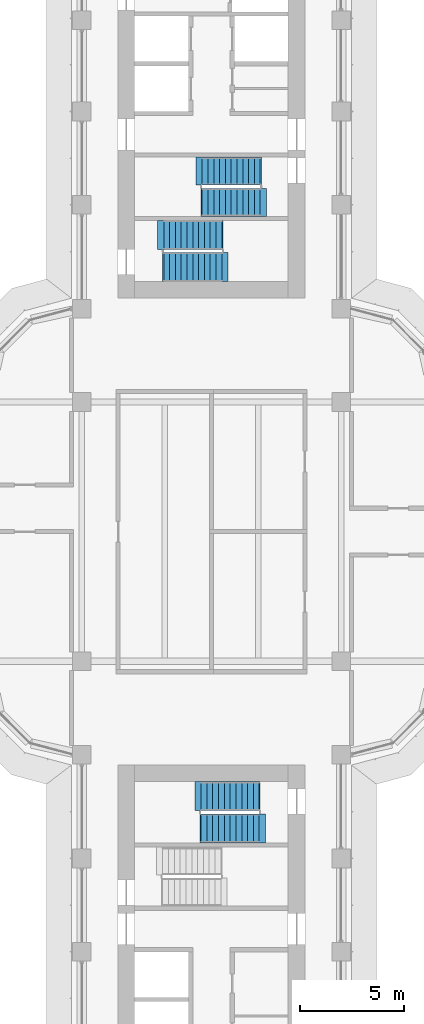
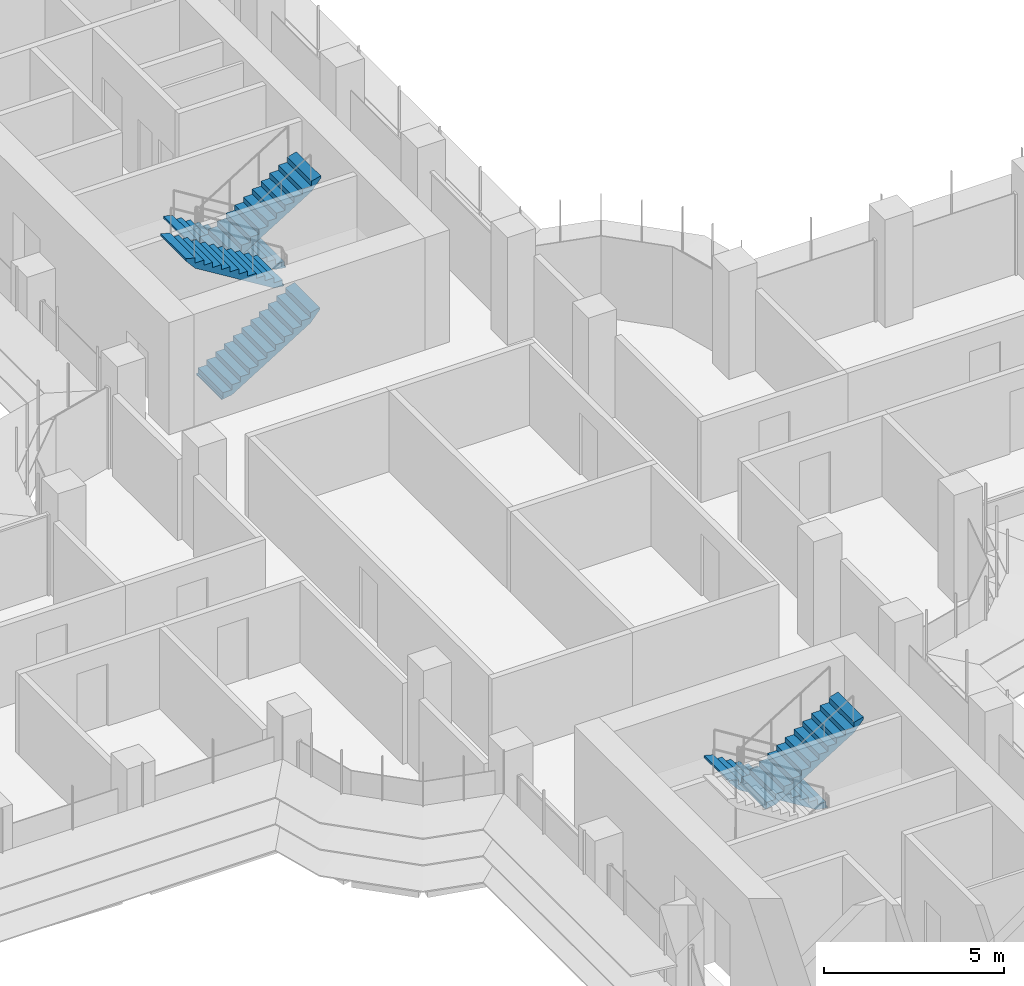
# One storey, part 18 of 22: 6 stair flights, 3 elements without a shape of their own.
"""IFC4 building model written with IfcOpenShell, lengths in metres."""

from ifc_helpers import new_model, si_unit, direction, frame, origin, place, context, subcontext, project, spatial, polyline, outline, extrude, material, type_object, element, aggregate, save


model = new_model("IFC4")

# Units and contexts
model_context = context("Model", 3, precision=1e-05, world=origin(), true_north=direction((0.0, 1.0)))
body_context = subcontext(model_context, "Body", "Model", "MODEL_VIEW")
ifc_project = project(units=[si_unit("LENGTHUNIT", "METRE"), si_unit("AREAUNIT", "SQUARE_METRE"), si_unit("VOLUMEUNIT", "CUBIC_METRE"), si_unit("PLANEANGLEUNIT", "RADIAN"), si_unit("MASSUNIT", "GRAM", prefix="KILO")], contexts=[model_context])

# Site, building, storey
site_placement = place(None, origin())
site = spatial("IfcSite", under=ifc_project, at=site_placement, CompositionType="ELEMENT")
building_placement = place(site_placement, origin())
building = spatial("IfcBuilding", under=site, at=building_placement, Name="Zarbagh Exchange Tower", CompositionType="ELEMENT")
storey_placement = place(building_placement, frame((0.0, 0.0, 105.60009765625)))
storey = spatial("IfcBuildingStorey", under=building, at=storey_placement, Name="L24", CompositionType="ELEMENT", Elevation=105.60009765625)

# Stair, stair flights
ifc_material = material(Name="Concrete C40/50", Category="concrete")
stair_type = type_object("IfcStairType", Name="Exit stair two-flight half-turn", PredefinedType="HALF_TURN_STAIR", material=ifc_material)
stair_1_placement = place(storey_placement, origin())
stair_1 = element("IfcStair", 1, at=stair_1_placement, inside=storey, type_object=stair_type, Name="exit stair ST1", PredefinedType="HALF_TURN_STAIR")
stair_flight_type_1 = type_object("IfcStairFlightType", Name="Stair flight 1350 mm", PredefinedType="STRAIGHT", material=ifc_material)
stair_flight_1_placement = place(storey_placement, frame((2.35009765625, 17.375, 0.0), z_axis=(0.0, 0.0, 1.0), x_axis=(-1.0, 0.0, 0.0)))
stair_flight_1 = element("IfcStairFlight", 2, at=stair_flight_1_placement, type_object=stair_flight_type_1, Name="ST1 flight 1", NumberOfRisers=11, NumberOfTreads=10, PredefinedType="STRAIGHT", RiserHeight=0.172727273, TreadLength=0.28, context=body_context, shape_type="SweptSolid", body=[
    extrude(outline(polyline([(-0.050048828125, -0.050048828125), (-0.050048828125, 0.0), (0.0, 0.0), (0.0, 0.172607421875), (0.280029296875, 0.172607421875), (0.280029296875, 0.345458984375), (0.56005859375, 0.345458984375), (0.56005859375, 0.51806640625), (0.840087890625, 0.51806640625), (0.840087890625, 0.69091796875), (1.1201171875, 0.69091796875), (1.1201171875, 0.863525390625), (1.39990234375, 0.863525390625), (1.39990234375, 1.036376953125), (1.679931640625, 1.036376953125), (1.679931640625, 1.208984375), (1.9599609375, 1.208984375), (1.9599609375, 1.3818359375), (2.239990234375, 1.3818359375), (2.239990234375, 1.554443359375), (2.52001953125, 1.554443359375), (2.52001953125, 1.727294921875), (2.800048828125, 1.727294921875), (2.800048828125, 1.89990234375), (3.10009765625, 1.97998046875), (3.10009765625, 1.89990234375), (2.800048828125, 1.551025390625), (0.285400390625, 0.0), (-0.050048828125, -0.050048828125)])), frame((0.0, 0.675048828125, 0.0), z_axis=(0.0, -1.0, 0.0), x_axis=(1.0, 0.0, 0.0)), (0.0, 0.0, 1.0), 1.35009765625),
])
stair_flight_2_placement = place(storey_placement, frame((-0.449951171875, 15.875, 1.89990234375), z_axis=(0.0, 0.0, 1.0), x_axis=(1.0, 0.0, 0.0)))
stair_flight_2 = element("IfcStairFlight", 3, at=stair_flight_2_placement, type_object=stair_flight_type_1, Name="ST1 flight 2", NumberOfRisers=11, NumberOfTreads=10, PredefinedType="STRAIGHT", RiserHeight=0.172727273, TreadLength=0.28, context=body_context, shape_type="SweptSolid", body=[
    extrude(outline(polyline([(-0.050048828125, -0.050048828125), (-0.050048828125, 0.0), (0.0, 0.0), (0.0, 0.172607421875), (0.280029296875, 0.172607421875), (0.280029296875, 0.345458984375), (0.56005859375, 0.345458984375), (0.56005859375, 0.51806640625), (0.840087890625, 0.51806640625), (0.840087890625, 0.69091796875), (1.1201171875, 0.69091796875), (1.1201171875, 0.863525390625), (1.39990234375, 0.863525390625), (1.39990234375, 1.036376953125), (1.679931640625, 1.036376953125), (1.679931640625, 1.208984375), (1.9599609375, 1.208984375), (1.9599609375, 1.3818359375), (2.239990234375, 1.3818359375), (2.239990234375, 1.554443359375), (2.52001953125, 1.554443359375), (2.52001953125, 1.727294921875), (2.800048828125, 1.727294921875), (2.800048828125, 1.89990234375), (3.10009765625, 1.97998046875), (3.10009765625, 1.89990234375), (2.800048828125, 1.551025390625), (0.285400390625, 0.0), (-0.050048828125, -0.050048828125)])), frame((0.0, 0.675048828125, 0.0), z_axis=(0.0, -1.0, 0.0), x_axis=(1.0, 0.0, 0.0)), (0.0, 0.0, 1.0), 1.35009765625),
])
aggregate(stair_1, [stair_flight_1, stair_flight_2])

stair_2_placement = place(storey_placement, origin())
stair_2 = element("IfcStair", 4, at=stair_2_placement, inside=storey, type_object=stair_type, Name="exit stair ST2", PredefinedType="HALF_TURN_STAIR")
stair_flight_type_2 = type_object("IfcStairFlightType", Name="Stair flight 1400 mm", PredefinedType="STRAIGHT", material=ifc_material)
stair_flight_3_placement = place(storey_placement, frame((-2.300048828125, 12.75, 0.0), z_axis=(0.0, 0.0, 1.0), x_axis=(1.0, 0.0, 0.0)))
stair_flight_3 = element("IfcStairFlight", 5, at=stair_flight_3_placement, type_object=stair_flight_type_2, Name="ST2 flight 1", NumberOfRisers=11, NumberOfTreads=10, PredefinedType="STRAIGHT", RiserHeight=0.172727273, TreadLength=0.28, context=body_context, shape_type="SweptSolid", body=[
    extrude(outline(polyline([(-0.050048828125, -0.050048828125), (-0.050048828125, 0.0), (0.0, 0.0), (0.0, 0.172607421875), (0.280029296875, 0.172607421875), (0.280029296875, 0.345458984375), (0.56005859375, 0.345458984375), (0.56005859375, 0.51806640625), (0.840087890625, 0.51806640625), (0.840087890625, 0.69091796875), (1.1201171875, 0.69091796875), (1.1201171875, 0.863525390625), (1.39990234375, 0.863525390625), (1.39990234375, 1.036376953125), (1.679931640625, 1.036376953125), (1.679931640625, 1.208984375), (1.9599609375, 1.208984375), (1.9599609375, 1.3818359375), (2.239990234375, 1.3818359375), (2.239990234375, 1.554443359375), (2.52001953125, 1.554443359375), (2.52001953125, 1.727294921875), (2.800048828125, 1.727294921875), (2.800048828125, 1.89990234375), (3.10009765625, 1.97998046875), (3.10009765625, 1.89990234375), (2.800048828125, 1.551025390625), (0.285400390625, 0.0), (-0.050048828125, -0.050048828125)])), frame((0.0, 0.699951171875, 0.0), z_axis=(0.0, -1.0, 0.0), x_axis=(1.0, 0.0, 0.0)), (0.0, 0.0, 1.0), 1.39990234375),
])
stair_flight_4_placement = place(storey_placement, frame((0.5, 14.300048828125, 1.89990234375), z_axis=(0.0, 0.0, 1.0), x_axis=(-1.0, 0.0, 0.0)))
stair_flight_4 = element("IfcStairFlight", 6, at=stair_flight_4_placement, type_object=stair_flight_type_2, Name="ST2 flight 2", NumberOfRisers=11, NumberOfTreads=10, PredefinedType="STRAIGHT", RiserHeight=0.172727273, TreadLength=0.28, context=body_context, shape_type="SweptSolid", body=[
    extrude(outline(polyline([(-0.050048828125, -0.050048828125), (-0.050048828125, 0.0), (0.0, 0.0), (0.0, 0.172607421875), (0.280029296875, 0.172607421875), (0.280029296875, 0.345458984375), (0.56005859375, 0.345458984375), (0.56005859375, 0.51806640625), (0.840087890625, 0.51806640625), (0.840087890625, 0.69091796875), (1.1201171875, 0.69091796875), (1.1201171875, 0.863525390625), (1.39990234375, 0.863525390625), (1.39990234375, 1.036376953125), (1.679931640625, 1.036376953125), (1.679931640625, 1.208984375), (1.9599609375, 1.208984375), (1.9599609375, 1.3818359375), (2.239990234375, 1.3818359375), (2.239990234375, 1.554443359375), (2.52001953125, 1.554443359375), (2.52001953125, 1.727294921875), (2.800048828125, 1.727294921875), (2.800048828125, 1.89990234375), (3.10009765625, 1.97998046875), (3.10009765625, 1.89990234375), (2.800048828125, 1.551025390625), (0.285400390625, 0.0), (-0.050048828125, -0.050048828125)])), frame((0.0, 0.699951171875, 0.0), z_axis=(0.0, -1.0, 0.0), x_axis=(1.0, 0.0, 0.0)), (0.0, 0.0, 1.0), 1.39990234375),
])
aggregate(stair_2, [stair_flight_3, stair_flight_4])

stair_3_placement = place(storey_placement, origin())
stair_3 = element("IfcStair", 7, at=stair_3_placement, inside=storey, type_object=stair_type, Name="exit stair ST4", PredefinedType="HALF_TURN_STAIR")
stair_flight_5_placement = place(storey_placement, frame((2.300048828125, -12.75, 0.0), z_axis=(0.0, 0.0, 1.0), x_axis=(-1.0, 0.0, 0.0)))
stair_flight_5 = element("IfcStairFlight", 8, at=stair_flight_5_placement, type_object=stair_flight_type_2, Name="ST4 flight 1", NumberOfRisers=11, NumberOfTreads=10, PredefinedType="STRAIGHT", RiserHeight=0.172727273, TreadLength=0.28, context=body_context, shape_type="SweptSolid", body=[
    extrude(outline(polyline([(-0.050048828125, -0.050048828125), (-0.050048828125, 0.0), (0.0, 0.0), (0.0, 0.172607421875), (0.280029296875, 0.172607421875), (0.280029296875, 0.345458984375), (0.56005859375, 0.345458984375), (0.56005859375, 0.51806640625), (0.840087890625, 0.51806640625), (0.840087890625, 0.69091796875), (1.1201171875, 0.69091796875), (1.1201171875, 0.863525390625), (1.39990234375, 0.863525390625), (1.39990234375, 1.036376953125), (1.679931640625, 1.036376953125), (1.679931640625, 1.208984375), (1.9599609375, 1.208984375), (1.9599609375, 1.3818359375), (2.239990234375, 1.3818359375), (2.239990234375, 1.554443359375), (2.52001953125, 1.554443359375), (2.52001953125, 1.727294921875), (2.800048828125, 1.727294921875), (2.800048828125, 1.89990234375), (3.10009765625, 1.97998046875), (3.10009765625, 1.89990234375), (2.800048828125, 1.551025390625), (0.285400390625, 0.0), (-0.050048828125, -0.050048828125)])), frame((0.0, 0.699951171875, 0.0), z_axis=(0.0, -1.0, 0.0), x_axis=(1.0, 0.0, 0.0)), (0.0, 0.0, 1.0), 1.39990234375),
])
stair_flight_6_placement = place(storey_placement, frame((-0.5, -14.300048828125, 1.89990234375), z_axis=(0.0, 0.0, 1.0), x_axis=(1.0, 0.0, 0.0)))
stair_flight_6 = element("IfcStairFlight", 9, at=stair_flight_6_placement, type_object=stair_flight_type_2, Name="ST4 flight 2", NumberOfRisers=11, NumberOfTreads=10, PredefinedType="STRAIGHT", RiserHeight=0.172727273, TreadLength=0.28, context=body_context, shape_type="SweptSolid", body=[
    extrude(outline(polyline([(-0.050048828125, -0.050048828125), (-0.050048828125, 0.0), (0.0, 0.0), (0.0, 0.172607421875), (0.280029296875, 0.172607421875), (0.280029296875, 0.345458984375), (0.56005859375, 0.345458984375), (0.56005859375, 0.51806640625), (0.840087890625, 0.51806640625), (0.840087890625, 0.69091796875), (1.1201171875, 0.69091796875), (1.1201171875, 0.863525390625), (1.39990234375, 0.863525390625), (1.39990234375, 1.036376953125), (1.679931640625, 1.036376953125), (1.679931640625, 1.208984375), (1.9599609375, 1.208984375), (1.9599609375, 1.3818359375), (2.239990234375, 1.3818359375), (2.239990234375, 1.554443359375), (2.52001953125, 1.554443359375), (2.52001953125, 1.727294921875), (2.800048828125, 1.727294921875), (2.800048828125, 1.89990234375), (3.10009765625, 1.97998046875), (3.10009765625, 1.89990234375), (2.800048828125, 1.551025390625), (0.285400390625, 0.0), (-0.050048828125, -0.050048828125)])), frame((0.0, 0.699951171875, 0.0), z_axis=(0.0, -1.0, 0.0), x_axis=(1.0, 0.0, 0.0)), (0.0, 0.0, 1.0), 1.39990234375),
])
aggregate(stair_3, [stair_flight_5, stair_flight_6])

save(model, "model.ifc")
